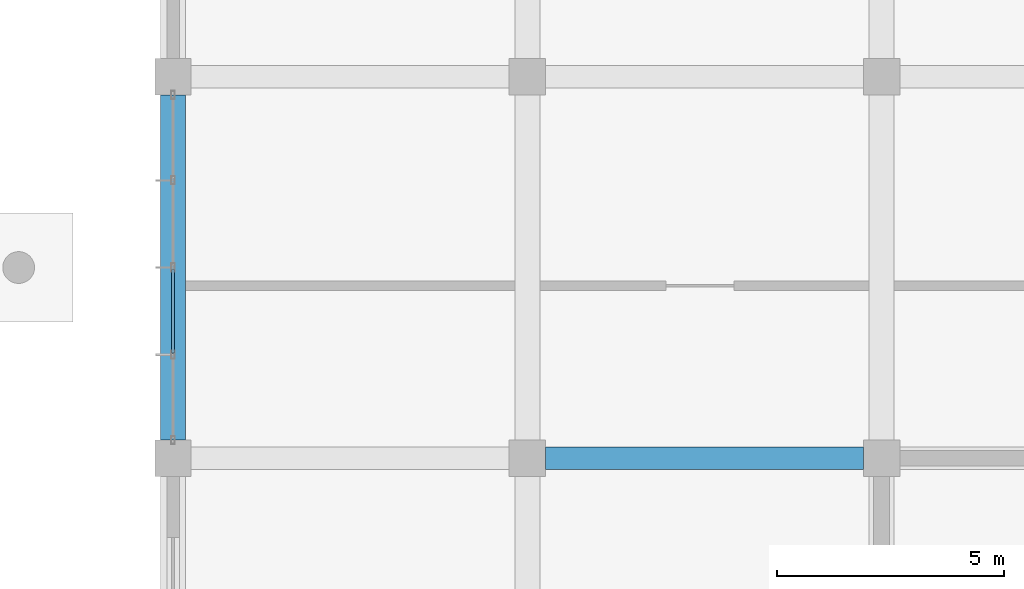
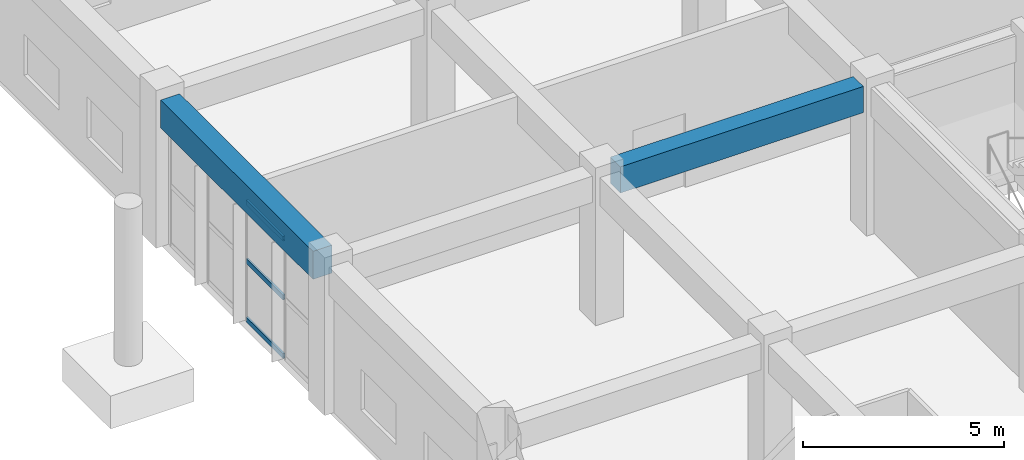
# One storey, part 38 of 139: 3 members, 2 beams, 1 element without a shape of its own.
"""IFC4 building model written with IfcOpenShell, lengths in metres."""

import ifcopenshell
import ifcopenshell.guid

model = None  # the IFC model being written
_history = None  # IfcOwnerHistory: only IFC2X3 demands one
_inside = {}  # id of a spatial element -> (the spatial element, [elements in it])
_under = {}  # id of a project, library or spatial element -> (it, [spatial elements below it])
_declared = {}  # id of a project -> (the project, [libraries it declares])
_typed = {}  # id of a type object -> (the type object, [elements of that type])
_made_of = {}  # id of a material, layer set ... -> (it, [elements and type objects made of it])


def new_model(schema):
    """Start an empty IFC model of exactly this schema.

    Asked for "IFC4X3", IfcOpenShell would pick the latest addendum, in which some entities
    have other attributes; the version numbers below select the first issue.
    IFC2X3 requires an IfcOwnerHistory on every rooted entity: one is made here for all.
    """
    global model, _history
    if schema == "IFC4X3":
        model = ifcopenshell.file(schema_version=(4, 3, 0, 0))
    else:
        model = ifcopenshell.file(schema=schema)
    _inside.clear()
    _under.clear()
    _declared.clear()
    _typed.clear()
    _made_of.clear()
    _history = None
    if model.schema == "IFC2X3":
        org = make("IfcOrganization", Name="unknown")
        user = make(
            "IfcPersonAndOrganization",
            ThePerson=make("IfcPerson", FamilyName="unknown"),
            TheOrganization=org,
        )
        app = make(
            "IfcApplication",
            ApplicationDeveloper=org,
            Version="unknown",
            ApplicationFullName="unknown",
            ApplicationIdentifier="unknown",
        )
        _history = make(
            "IfcOwnerHistory",
            OwningUser=user,
            OwningApplication=app,
            ChangeAction="ADDED",
            CreationDate=0,
        )
    return model


def make(cls, **values):
    """One entity of the class cls with the attributes given. An attribute that is None is left unset."""
    return model.create_entity(
        cls, **{name: value for name, value in values.items() if value is not None}
    )


def rooted(cls, **values):
    """An entity with a GlobalId (a new one), such as an element, a storey or a relation."""
    return make(cls, GlobalId=ifcopenshell.guid.new(), OwnerHistory=_history, **values)


def si_unit(unit_type, name, prefix=None):
    """IfcSIUnit, for example si_unit("LENGTHUNIT", "METRE", prefix="MILLI")."""
    return make("IfcSIUnit", UnitType=unit_type, Prefix=prefix, Name=name)


def assignment(units):
    """IfcUnitAssignment: the units of a project."""
    return None if units is None else make("IfcUnitAssignment", Units=units)


def point(xyz):
    """IfcCartesianPoint."""
    return None if xyz is None else make("IfcCartesianPoint", Coordinates=xyz)


def direction(xyz):
    """IfcDirection."""
    return None if xyz is None else make("IfcDirection", DirectionRatios=xyz)


def frame(location, z_axis=None, x_axis=None):
    """IfcAxis2Placement3D, a coordinate frame: its origin and axes. An axis left out is left unset."""
    return make(
        "IfcAxis2Placement3D",
        Location=point(location),
        Axis=direction(z_axis),
        RefDirection=direction(x_axis),
    )


def frame_2d(location, x_axis=None):
    """IfcAxis2Placement2D, a coordinate frame in the plane: its origin and x axis."""
    return make(
        "IfcAxis2Placement2D", Location=point(location), RefDirection=direction(x_axis)
    )


def origin():
    """The frame at (0, 0, 0) with its axes left unset."""
    return frame((0.0, 0.0, 0.0))


def origin_2d():
    """The frame at (0, 0) in the plane with its x axis left unset."""
    return frame_2d((0.0, 0.0))


def place(relative_to, where):
    """IfcLocalPlacement: puts the frame where relative to a parent placement (None: the world)."""
    return make(
        "IfcLocalPlacement", PlacementRelTo=relative_to, RelativePlacement=where
    )


def context(
    kind, dimensions, precision=None, world=None, true_north=None, identifier=None
):
    """IfcGeometricRepresentationContext, for example the 3D "Model" context."""
    return make(
        "IfcGeometricRepresentationContext",
        ContextIdentifier=identifier,
        ContextType=kind,
        CoordinateSpaceDimension=dimensions,
        Precision=precision,
        WorldCoordinateSystem=world,
        TrueNorth=true_north,
    )


def subcontext(parent, identifier, kind, view, scale=None):
    """IfcGeometricRepresentationSubContext, for example "Body" below "Model"."""
    return make(
        "IfcGeometricRepresentationSubContext",
        ContextIdentifier=identifier,
        ContextType=kind,
        ParentContext=parent,
        TargetScale=scale,
        TargetView=view,
    )


def project(units=None, contexts=None):
    """IfcProject with its units and contexts."""
    return rooted(
        "IfcProject",
        Name="project",
        RepresentationContexts=contexts,
        UnitsInContext=assignment(units),
    )


def spatial(cls, under=None, at=None, **own):
    """A site, building, storey or space (cls), placed at a placement, below another one or the project."""
    s = rooted(cls, ObjectPlacement=at, **own)
    if under is not None:
        _under.setdefault(under.id(), (under, []))[1].append(s)
    return s


def profile(cls, at=None, kind="AREA", **sizes):
    """A parametric profile (cls). Its sizes go by their IFC names, for example OverallWidth=200.0."""
    return make(cls, ProfileType=kind, Position=at, **sizes)


def rectangle(**sizes):
    """IfcRectangleProfileDef."""
    return profile("IfcRectangleProfileDef", **sizes)


def hollow_rectangle(**sizes):
    """IfcRectangleHollowProfileDef."""
    return profile("IfcRectangleHollowProfileDef", **sizes)


def extrude(swept, where, along, depth):
    """IfcExtrudedAreaSolid: the profile swept, set in the frame where, extruded along a direction by depth."""
    return make(
        "IfcExtrudedAreaSolid",
        SweptArea=swept,
        Position=where,
        ExtrudedDirection=direction(along),
        Depth=depth,
    )


def shape(context_of_items, identifier, shape_type, items):
    """IfcShapeRepresentation: the items that make up one representation, for example the "Body"."""
    return make(
        "IfcShapeRepresentation",
        ContextOfItems=context_of_items,
        RepresentationIdentifier=identifier,
        RepresentationType=shape_type,
        Items=items,
    )


def material(Name=None, Category=None):
    """IfcMaterial."""
    return make("IfcMaterial", Name=Name, Category=Category)


def layer(
    of_material, thickness, ventilated=None, Name=None, Category=None, Priority=None
):
    """IfcMaterialLayer: one layer of a wall or slab, of a material (None: an air gap)."""
    return make(
        "IfcMaterialLayer",
        Material=of_material,
        LayerThickness=thickness,
        IsVentilated=ventilated,
        Name=Name,
        Category=Category,
        Priority=Priority,
    )


def layer_set(layers, Name=None):
    """IfcMaterialLayerSet."""
    return make("IfcMaterialLayerSet", MaterialLayers=layers, LayerSetName=Name)


def material_profile(
    of_material, cross_section, Name=None, Category=None, Priority=None
):
    """IfcMaterialProfile: a cross section and its material."""
    return make(
        "IfcMaterialProfile",
        Name=Name,
        Material=of_material,
        Profile=cross_section,
        Priority=Priority,
        Category=Category,
    )


def profile_set(profiles, Name=None, composite=None):
    """IfcMaterialProfileSet."""
    return make(
        "IfcMaterialProfileSet",
        Name=Name,
        MaterialProfiles=profiles,
        CompositeProfile=composite,
    )


def made_of(thing, what):
    """Note that an element or type object is made of a material, layer set ...; save() writes the relation."""
    if what is not None:
        _made_of.setdefault(what.id(), (what, []))[1].append(thing)
    return thing


def type_object(cls, material=None, **own):
    """A type object (cls), such as IfcWallType, which elements share."""
    return made_of(rooted(cls, **own), material)


def element(
    cls,
    number,
    at=None,
    inside=None,
    cuts=None,
    type_object=None,
    material=None,
    context=None,
    identifier="Body",
    shape_type=None,
    held_by="IfcProductDefinitionShape",
    body=None,
    shapes=None,
    **own,
):
    """One element of the class cls, such as IfcWall. Its Tag is "e" and its number.

    at: its placement. inside: the storey or other place that contains it. cuts: it is an
    opening in that element (IfcRelVoidsElement). A single representation is given by context,
    identifier, shape_type and body (its items); several are given by shapes. held_by: the class
    of the entity that holds the representations. save() writes the other relations.
    """
    e = rooted(cls, Tag="e%d" % number, ObjectPlacement=at, **own)
    if body is not None:
        shapes = [shape(context, identifier, shape_type, body)]
    if shapes is not None:
        e.Representation = make(held_by, Representations=shapes)
    if inside is not None:
        _inside.setdefault(inside.id(), (inside, []))[1].append(e)
    if cuts is not None:
        rooted(
            "IfcRelVoidsElement", RelatingBuildingElement=cuts, RelatedOpeningElement=e
        )
    if type_object is not None:
        _typed.setdefault(type_object.id(), (type_object, []))[1].append(e)
    return made_of(e, material)


def aggregate(whole, parts):
    """IfcRelAggregates: a whole, such as a stair, and the parts it consists of."""
    return rooted("IfcRelAggregates", RelatingObject=whole, RelatedObjects=parts)


def save(model, path):
    """Write the relations noted so far, then the file.

    IfcRelAggregates (storeys below a building ...), IfcRelContainedInSpatialStructure (elements
    in a storey), IfcRelDefinesByType, IfcRelAssociatesMaterial and IfcRelDeclares: one each for
    every whole, place, type object, material and project.
    """
    for whole, parts in _under.values():
        aggregate(whole, parts)
    for where, things in _inside.values():
        rooted(
            "IfcRelContainedInSpatialStructure",
            RelatedElements=things,
            RelatingStructure=where,
        )
    for kind, things in _typed.values():
        rooted("IfcRelDefinesByType", RelatedObjects=things, RelatingType=kind)
    for what, things in _made_of.values():
        rooted("IfcRelAssociatesMaterial", RelatedObjects=things, RelatingMaterial=what)
    for by, libraries in _declared.values():
        rooted("IfcRelDeclares", RelatingContext=by, RelatedDefinitions=libraries)
    model.write(path)


model = new_model("IFC4")

# Units and contexts
model_context = context("Model", 3, precision=1e-05, world=origin(), true_north=direction((0.0, 1.0)))
body_context = subcontext(model_context, "Body", "Model", "MODEL_VIEW")
ifc_project = project(units=[si_unit("LENGTHUNIT", "METRE"), si_unit("AREAUNIT", "SQUARE_METRE"), si_unit("VOLUMEUNIT", "CUBIC_METRE"), si_unit("PLANEANGLEUNIT", "RADIAN"), si_unit("MASSUNIT", "GRAM", prefix="KILO")], contexts=[model_context])

# Site, building, storey
site_placement = place(None, origin())
site = spatial("IfcSite", under=ifc_project, at=site_placement, CompositionType="ELEMENT")
building_placement = place(site_placement, origin())
building = spatial("IfcBuilding", under=site, at=building_placement, Name="Zizhar Promenade General Hospital", CompositionType="ELEMENT")
storey_placement = place(building_placement, origin())
storey = spatial("IfcBuildingStorey", under=building, at=storey_placement, Name="L00", CompositionType="ELEMENT", Elevation=0.0)

# Beams
ifc_material_1 = material(Name="Concrete C35/45", Category="concrete")
ifc_material_profile_1 = material_profile(ifc_material_1, rectangle(XDim=0.5, YDim=0.800048828125, at=origin_2d()))
ifc_profile_set_1 = profile_set([ifc_material_profile_1], Name="Concrete C35/45")
beam_type_1 = type_object("IfcBeamType", Name="BM-RC-500x800", PredefinedType="BEAM", material=ifc_profile_set_1)
beam_1_placement = place(storey_placement, frame((55.0, 117.60009765625, 4.070068359375), z_axis=(1.0, 0.0, 0.0), x_axis=(0.0, 1.0, 0.0)))
element("IfcBeam", 1, at=beam_1_placement, inside=storey, type_object=beam_type_1, Name="Grid Beam X L00 (7-14)", PredefinedType="BEAM", context=body_context, shape_type="SweptSolid", body=[
    extrude(rectangle(XDim=0.5, YDim=0.800048828125, at=origin_2d()), origin(), (0.0, 0.0, 1.0), 7.0),
])
ifc_material_2 = material(Name="Concrete C35/45", Category="concrete")
ifc_material_profile_2 = material_profile(ifc_material_2, rectangle(XDim=0.550048828125, YDim=0.85009765625, at=origin_2d()))
ifc_profile_set_2 = profile_set([ifc_material_profile_2], Name="Concrete C35/45")
beam_type_2 = type_object("IfcBeamType", Name="BM-RC-550x850", PredefinedType="BEAM", material=ifc_profile_set_2)
beam_2_placement = place(storey_placement, frame((46.800048828125, 118.0, 4.044921875), z_axis=(0.0, 1.0, 0.0), x_axis=(-1.0, 0.0, 0.0)))
element("IfcBeam", 2, at=beam_2_placement, inside=storey, type_object=beam_type_2, Name="Grid Beam Y L00 (6-14)", PredefinedType="BEAM", context=body_context, shape_type="SweptSolid", body=[
    extrude(rectangle(XDim=0.550048828125, YDim=0.85009765625, at=origin_2d()), origin(), (0.0, 0.0, 1.0), 7.60009765625),
])

# Curtain wall, members
ifc_material_3 = material(Name="Anodised aluminium 6063-T6 and low-E glass", Category="aluminium")
ifc_layer = layer(ifc_material_3, 0.159912109375)
ifc_layer_set = layer_set([ifc_layer], Name="Anodised aluminium 6063-T6 and low-E glass")
curtain_wall_type = type_object("IfcCurtainWallType", Name="CW-DT-MOD1", PredefinedType="NOTDEFINED", material=ifc_layer_set)
curtain_wall_placement = place(storey_placement, origin())
curtain_wall = element("IfcCurtainWall", 3, at=curtain_wall_placement, inside=storey, type_object=curtain_wall_type, Name="Surgical West Glazed Curtain Wall L00-14", PredefinedType="NOTDEFINED")
ifc_material_4 = material(Name="Anodised aluminium 6063-T6", Category="aluminium")
ifc_material_profile_3 = material_profile(ifc_material_4, hollow_rectangle(XDim=0.06005859375, YDim=0.14990234375, WallThickness=0.00390625, at=origin_2d()))
ifc_profile_set_3 = profile_set([ifc_material_profile_3], Name="Anodised aluminium 6063-T6")
member_type = type_object("IfcMemberType", Name="CWT-ALU-150x60", PredefinedType="USERDEFINED", material=ifc_profile_set_3)
member_1_placement = place(storey_placement, frame((46.800048828125, 119.919921875, 0.030029296875), z_axis=(0.0, 1.0, 0.0), x_axis=(-1.0, 0.0, 0.0)))
member_1 = element("IfcMember", 4, at=member_1_placement, type_object=member_type, Name="CW-07 transom 2.1", ObjectType="TRANSOM", PredefinedType="USERDEFINED", context=body_context, shape_type="SweptSolid", body=[
    extrude(hollow_rectangle(XDim=0.06005859375, YDim=0.14990234375, WallThickness=0.00390625, at=origin_2d()), origin(), (0.0, 0.0, 1.0), 1.840087890625),
])
member_2_placement = place(storey_placement, frame((46.800048828125, 119.919921875, 1.81494140625), z_axis=(0.0, 1.0, 0.0), x_axis=(-1.0, 0.0, 0.0)))
member_2 = element("IfcMember", 5, at=member_2_placement, type_object=member_type, Name="CW-07 transom 2.2", ObjectType="TRANSOM", PredefinedType="USERDEFINED", context=body_context, shape_type="SweptSolid", body=[
    extrude(hollow_rectangle(XDim=0.06005859375, YDim=0.14990234375, WallThickness=0.00390625, at=origin_2d()), origin(), (0.0, 0.0, 1.0), 1.840087890625),
])
member_3_placement = place(storey_placement, frame((46.800048828125, 119.919921875, 3.60009765625), z_axis=(0.0, 1.0, 0.0), x_axis=(-1.0, 0.0, 0.0)))
member_3 = element("IfcMember", 6, at=member_3_placement, type_object=member_type, Name="CW-07 transom 2.3", ObjectType="TRANSOM", PredefinedType="USERDEFINED", context=body_context, shape_type="SweptSolid", body=[
    extrude(hollow_rectangle(XDim=0.06005859375, YDim=0.14990234375, WallThickness=0.00390625, at=origin_2d()), origin(), (0.0, 0.0, 1.0), 1.840087890625),
])
aggregate(curtain_wall, [member_1, member_2, member_3])

save(model, "model.ifc")
